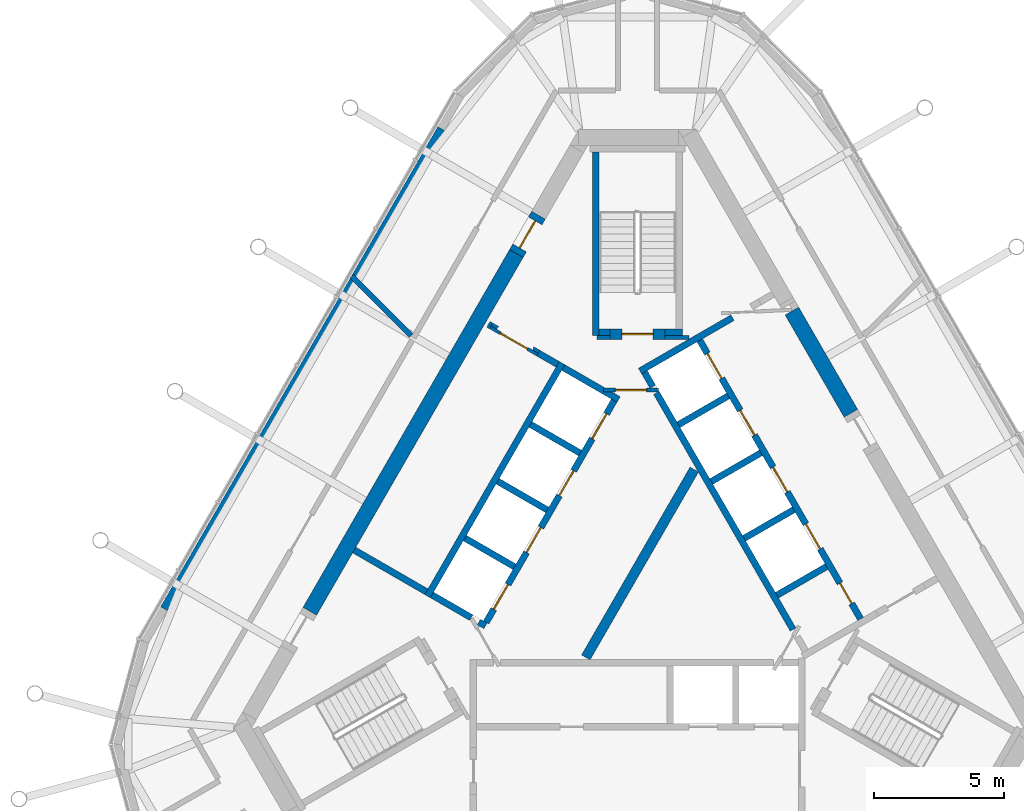
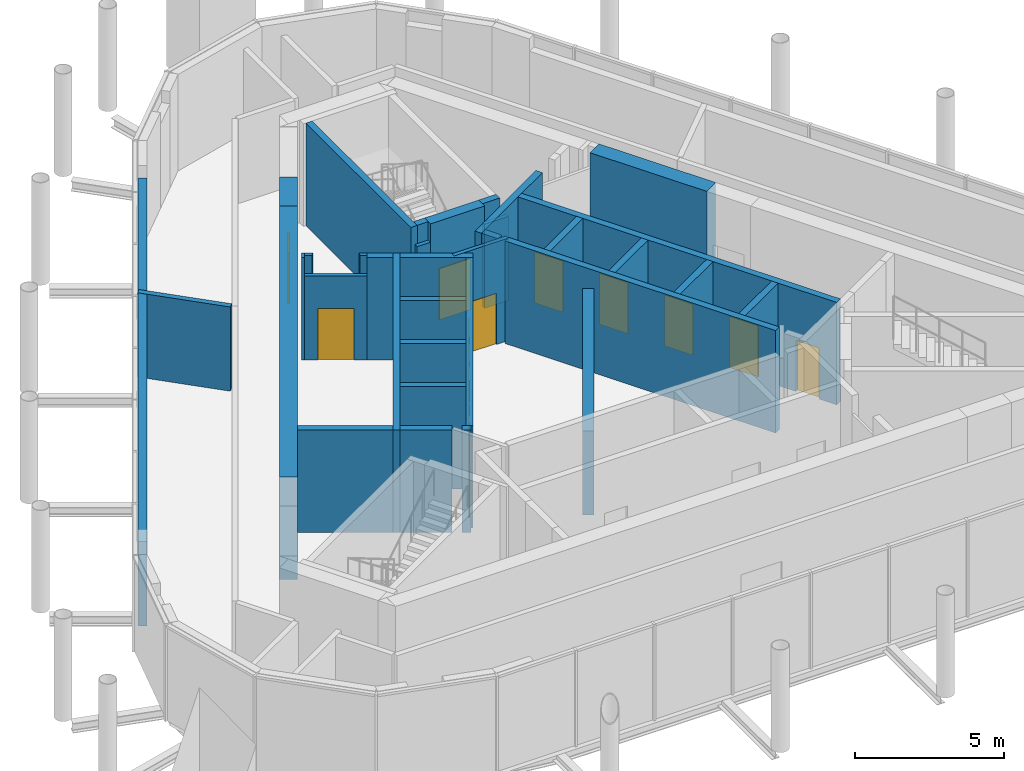
# One storey, part 8 of 11: 35 walls, 13 doors, 13 openings.
"""IFC4 building model written with IfcOpenShell, lengths in metres."""

from ifc_helpers import new_model, si_unit, direction, frame, frame_2d, origin, place, context, subcontext, project, spatial, polyline, rectangle, outline, extrude, material, layer, layer_set, type_object, element, fill, save


model = new_model("IFC4")

# Units and contexts
model_context = context("Model", 3, precision=1e-05, world=origin(), true_north=direction((0.0, 1.0)))
body_context = subcontext(model_context, "Body", "Model", "MODEL_VIEW")
ifc_project = project(units=[si_unit("LENGTHUNIT", "METRE"), si_unit("AREAUNIT", "SQUARE_METRE"), si_unit("VOLUMEUNIT", "CUBIC_METRE"), si_unit("PLANEANGLEUNIT", "RADIAN"), si_unit("MASSUNIT", "GRAM", prefix="KILO")], contexts=[model_context])

# Site, building, storey
site_placement = place(None, origin())
site = spatial("IfcSite", under=ifc_project, at=site_placement, CompositionType="ELEMENT")
building_placement = place(site_placement, origin())
building = spatial("IfcBuilding", under=site, at=building_placement, Name="Mestral Congress Tower", CompositionType="ELEMENT")
storey_placement = place(building_placement, frame((0.0, 0.0, 340.199951171875)))
storey = spatial("IfcBuildingStorey", under=building, at=storey_placement, Name="L79", CompositionType="ELEMENT", Elevation=340.199951171875)

# Walls
ifc_material_1 = material(Name="Fire-rated board partition")
ifc_layer_1 = layer(ifc_material_1, 0.14990234375)
ifc_layer_set_1 = layer_set([ifc_layer_1], Name="Fire-rated board partition")
wall_type_1 = type_object("IfcWallType", Name="Core partition 150", PredefinedType="PARTITIONING", material=ifc_layer_set_1)
wall_1_placement = place(storey_placement, frame((1.050048828125, 8.62548828125, 0.0), z_axis=(0.0, 0.0, 1.0), x_axis=(1.0, 0.0, 0.0)))
element("IfcWall", 1, at=wall_1_placement, inside=storey, type_object=wall_type_1, Name="L79 core wall", PredefinedType="PARTITIONING", context=body_context, shape_type="SweptSolid", body=[
    extrude(rectangle(XDim=0.9287109375, YDim=0.14990234375, at=frame_2d((0.46435546875, 0.0))), origin(), (0.0, 0.0, 1.0), 3.449951171875),
])
wall_2_placement = place(storey_placement, frame((-1.56396484375, 8.62548828125, 0.0), z_axis=(0.0, 0.0, 1.0), x_axis=(1.0, 0.0, 0.0)))
element("IfcWall", 2, at=wall_2_placement, inside=storey, type_object=wall_type_1, Name="L79 core wall", PredefinedType="PARTITIONING", context=body_context, shape_type="SweptSolid", body=[
    extrude(rectangle(XDim=0.513916015625, YDim=0.14990234375, at=frame_2d((0.2568359375, 0.0))), origin(), (0.0, 0.0, 1.0), 3.449951171875),
])
placement = place(storey_placement, origin())
element("IfcWall", 3, at=placement, inside=storey, type_object=wall_type_1, Name="L79 core wall", PredefinedType="PARTITIONING", context=body_context, shape_type="SweptSolid", body=[
    extrude(outline(polyline([(2.016845703125, 3.64306640625), (2.341552734375, 3.45556640625), (-1.822021484375, -3.755615234375), (-2.146728515625, -3.568115234375), (2.016845703125, 3.64306640625)])), origin(), (0.0, 0.0, 1.0), 3.449951171875),
])

# Wall, opening, door
ifc_layer_2 = layer(ifc_material_1, 0.1201171875)
ifc_layer_set_2 = layer_set([ifc_layer_2], Name="Fire-rated board partition")
wall_type_2 = type_object("IfcWallType", Name="Core partition 150 door-wall 120", PredefinedType="PARTITIONING", material=ifc_layer_set_2)
wall_4_placement = place(storey_placement, frame((-5.65869140625, 9.01171875, 0.0), z_axis=(0.0, 0.0, 1.0), x_axis=(0.866009402589, -0.500027713859, 0.0)))
wall_4 = element("IfcWall", 4, at=wall_4_placement, inside=storey, type_object=wall_type_2, Name="L79 door wall", PredefinedType="PARTITIONING", context=body_context, shape_type="SweptSolid", body=[
    extrude(rectangle(XDim=2.10009765625, YDim=0.1201171875, at=frame_2d((1.050048828125, 0.0))), origin(), (0.0, 0.0, 1.0), 3.449951171875),
])
opening_1_placement = place(wall_4_placement, frame((0.449951171875, 0.0, 0.0)))
opening_1 = element("IfcOpeningElement", 5, at=opening_1_placement, cuts=wall_4, Name="Opening LB2-WL2", PredefinedType="OPENING", context=body_context, shape_type="SweptSolid", body=[
    extrude(rectangle(XDim=1.199951171875, YDim=2.10009765625, at=frame_2d((0.60009765625, 1.050048828125))), frame((0.0, 0.070068359375, 0.0), z_axis=(0.0, -1.0, 0.0), x_axis=(1.0, 0.0, 0.0)), (0.0, 0.0, 1.0), 0.14013671875),
])
ifc_material_2 = material(Name="Fire-rated steel door set", Category="steel")
door_type_1 = type_object("IfcDoorType", Name="Core door LB 1200x2100", OperationType="SINGLE_SWING_LEFT", PredefinedType="DOOR", material=ifc_material_2)
door_1_placement = place(opening_1_placement, origin())
door_1 = element("IfcDoor", 6, at=door_1_placement, inside=storey, type_object=door_type_1, Name="Door LB2-WL2", OperationType="SINGLE_SWING_LEFT", OverallHeight=2.10009765625, OverallWidth=1.199951171875, PredefinedType="DOOR", context=body_context, shape_type="SweptSolid", body=[
    extrude(rectangle(XDim=1.199951171875, YDim=2.10009765625, at=frame_2d((0.60009765625, 1.050048828125))), frame((0.0, 0.02490234375, 0.0), z_axis=(0.0, -1.0, 0.0), x_axis=(1.0, 0.0, 0.0)), (0.0, 0.0, 1.0), 0.050048828125),
])
fill(opening_1, door_1)

# Walls
ifc_material_3 = material(Name="Concrete C60/75", Category="concrete")
ifc_layer_3 = layer(ifc_material_3, 0.60009765625)
ifc_layer_set_3 = layer_set([ifc_layer_3], Name="Concrete C60/75")
wall_type_3 = type_object("IfcWallType", Name="Core wall RC 600", PredefinedType="SOLIDWALL", material=ifc_layer_set_3)
wall_5_placement = place(storey_placement, frame((5.927978515625, 9.632568359375, 0.0), z_axis=(0.0, 0.0, 1.0), x_axis=(0.499983823482, -0.8660347431, 0.0)))
element("IfcWall", 7, at=wall_5_placement, inside=storey, type_object=wall_type_3, Name="L79 core wall", PredefinedType="SOLIDWALL", context=body_context, shape_type="SweptSolid", body=[
    extrude(rectangle(XDim=4.528076171875, YDim=0.60009765625, at=frame_2d((2.26416015625, 0.0))), origin(), (0.0, 0.0, 1.0), 4.199951171875),
])
wall_6_placement = place(storey_placement, frame((-4.65234375, 11.841796875, 0.0), z_axis=(0.0, 0.0, 1.0), x_axis=(-0.500003640647, -0.866023301845, 0.0)))
element("IfcWall", 8, at=wall_6_placement, inside=storey, type_object=wall_type_3, Name="L79 core wall", PredefinedType="SOLIDWALL", context=body_context, shape_type="SweptSolid", body=[
    extrude(rectangle(XDim=15.8583984375, YDim=0.60009765625, at=frame_2d((7.92919921875, 0.0))), origin(), (0.0, 0.0, 1.0), 4.199951171875),
])

# Wall, opening, door
wall_7_placement = place(storey_placement, frame((-4.65234375, 11.842041015625, 0.0), z_axis=(0.0, 0.0, 1.0), x_axis=(0.500062241894, 0.865989465428, 0.0)))
wall_7 = element("IfcWall", 9, at=wall_7_placement, inside=storey, type_object=wall_type_3, Name="L79 door wall", PredefinedType="SOLIDWALL", context=body_context, shape_type="SweptSolid", body=[
    extrude(rectangle(XDim=1.699951171875, YDim=0.60009765625, at=frame_2d((0.85009765625, 0.0))), origin(), (0.0, 0.0, 1.0), 4.199951171875),
])
opening_2_placement = place(wall_7_placement, frame((0.25, 0.0, 0.0)))
opening_2 = element("IfcOpeningElement", 10, at=opening_2_placement, cuts=wall_7, Name="Opening XD2", PredefinedType="OPENING", context=body_context, shape_type="SweptSolid", body=[
    extrude(rectangle(XDim=1.199951171875, YDim=2.10009765625, at=frame_2d((0.60009765625, 1.050048828125))), frame((0.0, 0.31005859375, 0.0), z_axis=(0.0, -1.0, 0.0), x_axis=(1.0, 0.0, 0.0)), (0.0, 0.0, 1.0), 0.6201171875),
])
door_type_2 = type_object("IfcDoorType", Name="Core door XD 1200x2100", OperationType="SINGLE_SWING_LEFT", PredefinedType="DOOR", material=ifc_material_2)
door_2_placement = place(opening_2_placement, origin())
door_2 = element("IfcDoor", 11, at=door_2_placement, inside=storey, type_object=door_type_2, Name="Door XD2", OperationType="SINGLE_SWING_LEFT", OverallHeight=2.10009765625, OverallWidth=1.199951171875, PredefinedType="DOOR", context=body_context, shape_type="SweptSolid", body=[
    extrude(rectangle(XDim=1.199951171875, YDim=2.10009765625, at=frame_2d((0.60009765625, 1.050048828125))), frame((0.0, 0.02490234375, 0.0), z_axis=(0.0, -1.0, 0.0), x_axis=(1.0, 0.0, 0.0)), (0.0, 0.0, 1.0), 0.050048828125),
])
fill(opening_2, door_2)

# Walls
ifc_material_4 = material(Name="Precast concrete C40/50 with limestone facing", Category="masonry")
ifc_layer_4 = layer(ifc_material_4, 0.300048828125)
ifc_layer_set_4 = layer_set([ifc_layer_4], Name="Precast concrete C40/50 with limestone facing")
wall_type_4 = type_object("IfcWallType", Name="Crown plant block wall 300 under girder", PredefinedType="SOLIDWALL", material=ifc_layer_set_4)
wall_8_placement = place(storey_placement, frame((-7.5400390625, 16.64013671875, 0.0), z_axis=(0.0, 0.0, 1.0), x_axis=(-0.500002158106, -0.866024157798, 0.0)))
element("IfcWall", 12, at=wall_8_placement, inside=storey, type_object=wall_type_4, Name="Plant block wall 10", PredefinedType="SOLIDWALL", context=body_context, shape_type="SweptSolid", body=[
    extrude(rectangle(XDim=21.28173828125, YDim=0.300048828125, at=frame_2d((10.640869140625, 0.0))), origin(), (0.0, 0.0, 1.0), 3.449951171875),
])
ifc_layer_5 = layer(ifc_material_3, 0.25)
ifc_layer_set_5 = layer_set([ifc_layer_5], Name="Concrete C60/75")
wall_type_5 = type_object("IfcWallType", Name="Shaft wall RC 250", PredefinedType="SOLIDWALL", material=ifc_layer_set_5)
wall_9_placement = place(storey_placement, frame((3.647216796875, 9.38037109375, 0.0), z_axis=(0.0, 0.0, 1.0), x_axis=(-0.866027868628, -0.499995730742, 0.0)))
element("IfcWall", 13, at=wall_9_placement, inside=storey, type_object=wall_type_5, Name="L79 core wall", PredefinedType="SOLIDWALL", context=body_context, shape_type="SweptSolid", body=[
    extrude(rectangle(XDim=4.0986328125, YDim=0.25, at=frame_2d((2.04931640625, 0.0))), origin(), (0.0, 0.0, 1.0), 4.199951171875),
])
wall_10_placement = place(storey_placement, frame((0.268310546875, 7.28515625, 0.0), z_axis=(0.0, 0.0, 1.0), x_axis=(0.500098681536, -0.865968422476, 0.0)))
element("IfcWall", 14, at=wall_10_placement, inside=storey, type_object=wall_type_5, Name="L79 core wall", PredefinedType="SOLIDWALL", context=body_context, shape_type="SweptSolid", body=[
    extrude(rectangle(XDim=0.636474609375, YDim=0.25, at=frame_2d((0.318359375, 0.0))), origin(), (0.0, 0.0, 1.0), 4.199951171875),
])
wall_11_placement = place(storey_placement, frame((5.970458984375, -2.591064453125, 0.0), z_axis=(0.0, 0.0, 1.0), x_axis=(-0.499994469932, 0.866028596547, 0.0)))
element("IfcWall", 15, at=wall_11_placement, inside=storey, type_object=wall_type_5, Name="L79 core wall", PredefinedType="SOLIDWALL", context=body_context, shape_type="SweptSolid", body=[
    extrude(rectangle(XDim=10.48828125, YDim=0.25, at=frame_2d((5.244140625, 0.0))), origin(), (0.0, 0.0, 1.0), 4.199951171875),
])
wall_12_placement = place(storey_placement, frame((1.57421875, 5.273681640625, 0.0), z_axis=(0.0, 0.0, 1.0), x_axis=(0.866028486751, 0.499994660107, 0.0)))
element("IfcWall", 16, at=wall_12_placement, inside=storey, type_object=wall_type_5, Name="L79 core wall", PredefinedType="SOLIDWALL", context=body_context, shape_type="SweptSolid", body=[
    extrude(rectangle(XDim=2.19970703125, YDim=0.25, at=frame_2d((1.099853515625, 0.0))), origin(), (0.0, 0.0, 1.0), 4.199951171875),
])
for number, where, z_axis, x_axis, name in (
    (17, (2.833984375, 3.091064453125, 0.0), (0.0, 0.0, 1.0), (0.866008176907, 0.50002983664, 0.0), "L79 core wall"),
    (18, (4.093994140625, 0.90869140625, 0.0), (0.0, 0.0, 1.0), (0.866008176907, 0.50002983664, 0.0), "L79 core wall"),
    (19, (5.35400390625, -1.273681640625, 0.0), (0.0, 0.0, 1.0), (0.866008176907, 0.50002983664, 0.0), "L79 core wall"),
):
    element("IfcWall", number, at=place(storey_placement, frame(where, z_axis=z_axis, x_axis=x_axis)), inside=storey, type_object=wall_type_5, Name=name, PredefinedType="SOLIDWALL", context=body_context, shape_type="SweptSolid", body=[
        extrude(rectangle(XDim=2.199951171875, YDim=0.25, at=frame_2d((1.10009765625, 0.0))), origin(), (0.0, 0.0, 1.0), 4.199951171875),
    ])
wall_13_placement = place(storey_placement, frame((-8.06005859375, -1.310546875, 0.0), z_axis=(0.0, 0.0, 1.0), x_axis=(0.50000273126, 0.866023826885, 0.0)))
element("IfcWall", 20, at=wall_13_placement, inside=storey, type_object=wall_type_5, Name="L79 core wall", PredefinedType="SOLIDWALL", context=body_context, shape_type="SweptSolid", body=[
    extrude(rectangle(XDim=10.330078125, YDim=0.25, at=frame_2d((5.1650390625, 0.0))), origin(), (0.0, 0.0, 1.0), 4.199951171875),
])
element("IfcWall", 21, at=placement, inside=storey, type_object=wall_type_5, Name="L79 core wall", PredefinedType="SOLIDWALL", context=body_context, shape_type="SweptSolid", body=[
    extrude(outline(polyline([(-2.911865234375, 7.3564453125), (-2.786865234375, 7.572998046875), (-1.231689453125, 6.675048828125), (-1.303466796875, 6.675048828125), (-1.3037109375, 6.675048828125), (-1.3037109375, 6.675048828125), (-1.3037109375, 6.52490234375), (-1.3037109375, 6.52490234375), (-1.303466796875, 6.52490234375), (-0.971435546875, 6.52490234375), (-0.6650390625, 6.347900390625), (-0.7900390625, 6.131591796875), (-1.006591796875, 6.256591796875), (-1.006591796875, 6.256591796875), (-2.911865234375, 7.3564453125)])), origin(), (0.0, 0.0, 1.0), 4.199951171875),
])
for number, where, z_axis, x_axis, name in (
    (22, (-2.2041015625, 4.182373046875, 0.0), (0.0, 0.0, 1.0), (-0.866008176907, 0.50002983664, 0.0), "L79 core wall"),
    (23, (-5.369384765625, 3.10009765625, 0.0), (0.0, 0.0, 1.0), (0.866008176907, -0.50002983664, 0.0), "L79 core wall"),
    (24, (-4.72412109375, -0.182373046875, 0.0), (0.0, 0.0, 1.0), (-0.866008176907, 0.50002983664, 0.0), "L79 core wall"),
):
    element("IfcWall", number, at=place(storey_placement, frame(where, z_axis=z_axis, x_axis=x_axis)), inside=storey, type_object=wall_type_5, Name=name, PredefinedType="SOLIDWALL", context=body_context, shape_type="SweptSolid", body=[
        extrude(rectangle(XDim=2.199951171875, YDim=0.25, at=frame_2d((1.10009765625, 0.0))), origin(), (0.0, 0.0, 1.0), 4.199951171875),
    ])
wall_15_placement = place(storey_placement, frame((-6.088134765625, -2.3046875, 0.0), z_axis=(0.0, 0.0, 1.0), x_axis=(0.866059450854, -0.499941024108, 0.0)))
element("IfcWall", 25, at=wall_15_placement, inside=storey, type_object=wall_type_5, Name="L79 core wall", PredefinedType="SOLIDWALL", context=body_context, shape_type="SweptSolid", body=[
    extrude(rectangle(XDim=0.2900390625, YDim=0.25, at=frame_2d((0.14501953125, 0.0))), origin(), (0.0, 0.0, 1.0), 4.199951171875),
])
wall_16_placement = place(storey_placement, frame((-7.889404296875, -1.2646484375, 0.0), z_axis=(0.0, 0.0, 1.0), x_axis=(0.865986741702, -0.500066958712, 0.0)))
element("IfcWall", 26, at=wall_16_placement, inside=storey, type_object=wall_type_5, Name="L79 core wall", PredefinedType="SOLIDWALL", context=body_context, shape_type="SweptSolid", body=[
    extrude(rectangle(XDim=1.738037109375, YDim=0.25, at=frame_2d((0.869140625, 0.0))), origin(), (0.0, 0.0, 1.0), 4.199951171875),
])
wall_17_placement = place(storey_placement, frame((-8.10595703125, -1.139892578125, 0.0), z_axis=(0.0, 0.0, 1.0), x_axis=(-0.866008981251, 0.500028443584, 0.0)))
element("IfcWall", 27, at=wall_17_placement, inside=storey, type_object=wall_type_5, Name="L79 core wall", PredefinedType="SOLIDWALL", context=body_context, shape_type="SweptSolid", body=[
    extrude(rectangle(XDim=3.199951171875, YDim=0.25, at=frame_2d((1.60009765625, 0.0))), origin(), (0.0, 0.0, 1.0), 4.199951171875),
])
wall_18_placement = place(storey_placement, frame((-5.724609375, 9.124755859375, 0.0), z_axis=(0.0, 0.0, 1.0), x_axis=(0.866185586049, -0.49972245349, 0.0)))
element("IfcWall", 28, at=wall_18_placement, inside=storey, type_object=wall_type_5, Name="L79 core wall", PredefinedType="SOLIDWALL", context=body_context, shape_type="SweptSolid", body=[
    extrude(rectangle(XDim=0.10986328125, YDim=0.25, at=frame_2d((0.054931640625, 0.0))), origin(), (0.0, 0.0, 1.0), 4.199951171875),
])
wall_19_placement = place(storey_placement, frame((-3.06591796875, 7.58984375, 0.0), z_axis=(0.0, 0.0, 1.0), x_axis=(-0.866081358704, 0.49990307071, 0.0)))
element("IfcWall", 29, at=wall_19_placement, inside=storey, type_object=wall_type_5, Name="L79 core wall", PredefinedType="SOLIDWALL", context=body_context, shape_type="SweptSolid", body=[
    extrude(rectangle(XDim=0.858154296875, YDim=0.25, at=frame_2d((0.42919921875, 0.0))), origin(), (0.0, 0.0, 1.0), 4.199951171875),
])
element("IfcWall", 30, at=placement, inside=storey, type_object=wall_type_5, Name="L79 core wall", PredefinedType="SOLIDWALL", context=body_context, shape_type="SweptSolid", body=[
    extrude(outline(polyline([(-3.748291015625, 8.1279296875), (-3.813232421875, 8.015380859375), (-4.026611328125, 8.138671875), (-4.0166015625, 8.156005859375), (-4.007568359375, 8.17333984375), (-4.000244140625, 8.191650390625), (-3.994873046875, 8.21044921875), (-3.991455078125, 8.229736328125), (-3.98974609375, 8.24951171875), (-3.989990234375, 8.267578125), (-3.748291015625, 8.1279296875)])), origin(), (0.0, 0.0, 1.0), 4.199951171875),
])
element("IfcWall", 31, at=placement, inside=storey, type_object=wall_type_5, Name="L79 core wall", PredefinedType="SOLIDWALL", context=body_context, shape_type="SweptSolid", body=[
    extrude(outline(polyline([(-5.688720703125, 8.959716796875), (-5.690185546875, 8.960693359375), (-5.565185546875, 9.177001953125), (-5.318603515625, 9.03466796875), (-5.334716796875, 9.02587890625), (-5.3505859375, 9.0146484375), (-5.36572265625, 9.001953125), (-5.37939453125, 8.98779296875), (-5.3916015625, 8.972412109375), (-5.402099609375, 8.955810546875), (-5.412109375, 8.938720703125), (-5.628662109375, 9.063720703125), (-5.628662109375, 9.063720703125), (-5.688720703125, 8.959716796875)])), origin(), (0.0, 0.0, 1.0), 4.199951171875),
])

# Wall, openings, doors
wall_22_placement = place(storey_placement, frame((8.565185546875, -2.185302734375, 0.0), z_axis=(0.0, 0.0, 1.0), x_axis=(-0.499997954832, 0.866026584559, 0.0)))
wall_22 = element("IfcWall", 32, at=wall_22_placement, inside=storey, type_object=wall_type_5, Name="L79 door wall", PredefinedType="SOLIDWALL", context=body_context, shape_type="SweptSolid", body=[
    extrude(rectangle(XDim=12.35009765625, YDim=0.25, at=frame_2d((6.175048828125, 0.0))), origin(), (0.0, 0.0, 1.0), 4.199951171875),
])
opening_3_placement = place(wall_22_placement, frame((0.68505859375, 0.0, 0.0)))
opening_3 = element("IfcOpeningElement", 33, at=opening_3_placement, cuts=wall_22, Name="Opening SR-NEB1", PredefinedType="OPENING", context=body_context, shape_type="SweptSolid", body=[
    extrude(rectangle(XDim=0.89990234375, YDim=2.10009765625, at=frame_2d((0.449951171875, 1.050048828125))), frame((0.0, 0.135009765625, 0.0), z_axis=(0.0, -1.0, 0.0), x_axis=(1.0, 0.0, 0.0)), (0.0, 0.0, 1.0), 0.27001953125),
])
opening_4_placement = place(wall_22_placement, frame((3.10498046875, 0.0, 0.0)))
opening_4 = element("IfcOpeningElement", 34, at=opening_4_placement, cuts=wall_22, Name="Opening LD-NEB2", PredefinedType="OPENING", context=body_context, shape_type="SweptSolid", body=[
    extrude(rectangle(XDim=1.10009765625, YDim=2.10009765625, at=frame_2d((0.550048828125, 1.050048828125))), frame((0.0, 0.135009765625, 0.0), z_axis=(0.0, -1.0, 0.0), x_axis=(1.0, 0.0, 0.0)), (0.0, 0.0, 1.0), 0.27001953125),
])
opening_5_placement = place(wall_22_placement, frame((5.625, 0.0, 0.0)))
opening_5 = element("IfcOpeningElement", 35, at=opening_5_placement, cuts=wall_22, Name="Opening LD-NEB3", PredefinedType="OPENING", context=body_context, shape_type="SweptSolid", body=[
    extrude(rectangle(XDim=1.10009765625, YDim=2.10009765625, at=frame_2d((0.550048828125, 1.050048828125))), frame((0.0, 0.135009765625, 0.0), z_axis=(0.0, -1.0, 0.0), x_axis=(1.0, 0.0, 0.0)), (0.0, 0.0, 1.0), 0.27001953125),
])
opening_6_placement = place(wall_22_placement, frame((8.14501953125, 0.0, 0.0)))
opening_6 = element("IfcOpeningElement", 36, at=opening_6_placement, cuts=wall_22, Name="Opening LD-NEB4", PredefinedType="OPENING", context=body_context, shape_type="SweptSolid", body=[
    extrude(rectangle(XDim=1.10009765625, YDim=2.10009765625, at=frame_2d((0.550048828125, 1.050048828125))), frame((0.0, 0.135009765625, 0.0), z_axis=(0.0, -1.0, 0.0), x_axis=(1.0, 0.0, 0.0)), (0.0, 0.0, 1.0), 0.27001953125),
])
opening_7_placement = place(wall_22_placement, frame((10.6650390625, 0.0, 0.0)))
opening_7 = element("IfcOpeningElement", 37, at=opening_7_placement, cuts=wall_22, Name="Opening LD-NEB5", PredefinedType="OPENING", context=body_context, shape_type="SweptSolid", body=[
    extrude(rectangle(XDim=1.10009765625, YDim=2.10009765625, at=frame_2d((0.550048828125, 1.050048828125))), frame((0.0, 0.135009765625, 0.0), z_axis=(0.0, -1.0, 0.0), x_axis=(1.0, 0.0, 0.0)), (0.0, 0.0, 1.0), 0.27001953125),
])
door_type_3 = type_object("IfcDoorType", Name="Core door LD 1100x2100", OperationType="DOUBLE_DOOR_SLIDING", PredefinedType="DOOR", material=ifc_material_2)
door_3_placement = place(opening_4_placement, origin())
door_3 = element("IfcDoor", 38, at=door_3_placement, inside=storey, type_object=door_type_3, Name="Door LD-NEB2", OperationType="DOUBLE_DOOR_SLIDING", OverallHeight=2.10009765625, OverallWidth=1.10009765625, PredefinedType="DOOR", context=body_context, shape_type="SweptSolid", body=[
    extrude(rectangle(XDim=1.10009765625, YDim=2.10009765625, at=frame_2d((0.550048828125, 1.050048828125))), frame((0.0, 0.02490234375, 0.0), z_axis=(0.0, -1.0, 0.0), x_axis=(1.0, 0.0, 0.0)), (0.0, 0.0, 1.0), 0.050048828125),
])
fill(opening_4, door_3)
door_4_placement = place(opening_5_placement, origin())
door_4 = element("IfcDoor", 39, at=door_4_placement, inside=storey, type_object=door_type_3, Name="Door LD-NEB3", OperationType="DOUBLE_DOOR_SLIDING", OverallHeight=2.10009765625, OverallWidth=1.10009765625, PredefinedType="DOOR", context=body_context, shape_type="SweptSolid", body=[
    extrude(rectangle(XDim=1.10009765625, YDim=2.10009765625, at=frame_2d((0.550048828125, 1.050048828125))), frame((0.0, 0.02490234375, 0.0), z_axis=(0.0, -1.0, 0.0), x_axis=(1.0, 0.0, 0.0)), (0.0, 0.0, 1.0), 0.050048828125),
])
fill(opening_5, door_4)
door_5_placement = place(opening_6_placement, origin())
door_5 = element("IfcDoor", 40, at=door_5_placement, inside=storey, type_object=door_type_3, Name="Door LD-NEB4", OperationType="DOUBLE_DOOR_SLIDING", OverallHeight=2.10009765625, OverallWidth=1.10009765625, PredefinedType="DOOR", context=body_context, shape_type="SweptSolid", body=[
    extrude(rectangle(XDim=1.10009765625, YDim=2.10009765625, at=frame_2d((0.550048828125, 1.050048828125))), frame((0.0, 0.02490234375, 0.0), z_axis=(0.0, -1.0, 0.0), x_axis=(1.0, 0.0, 0.0)), (0.0, 0.0, 1.0), 0.050048828125),
])
fill(opening_6, door_5)
door_6_placement = place(opening_7_placement, origin())
door_6 = element("IfcDoor", 41, at=door_6_placement, inside=storey, type_object=door_type_3, Name="Door LD-NEB5", OperationType="DOUBLE_DOOR_SLIDING", OverallHeight=2.10009765625, OverallWidth=1.10009765625, PredefinedType="DOOR", context=body_context, shape_type="SweptSolid", body=[
    extrude(rectangle(XDim=1.10009765625, YDim=2.10009765625, at=frame_2d((0.550048828125, 1.050048828125))), frame((0.0, 0.02490234375, 0.0), z_axis=(0.0, -1.0, 0.0), x_axis=(1.0, 0.0, 0.0)), (0.0, 0.0, 1.0), 0.050048828125),
])
fill(opening_7, door_6)
door_type_4 = type_object("IfcDoorType", Name="Core door SR 900x2100", OperationType="SINGLE_SWING_LEFT", PredefinedType="DOOR", material=ifc_material_2)
door_7_placement = place(opening_3_placement, origin())
door_7 = element("IfcDoor", 42, at=door_7_placement, inside=storey, type_object=door_type_4, Name="Door SR-NEB1", OperationType="SINGLE_SWING_LEFT", OverallHeight=2.10009765625, OverallWidth=0.89990234375, PredefinedType="DOOR", context=body_context, shape_type="SweptSolid", body=[
    extrude(rectangle(XDim=0.89990234375, YDim=2.10009765625, at=frame_2d((0.449951171875, 1.050048828125))), frame((0.0, 0.02490234375, 0.0), z_axis=(0.0, -1.0, 0.0), x_axis=(1.0, 0.0, 0.0)), (0.0, 0.0, 1.0), 0.050048828125),
])
fill(opening_3, door_7)

wall_23_placement = place(storey_placement, frame((-0.898193359375, 6.194091796875, 0.0), z_axis=(0.0, 0.0, 1.0), x_axis=(-0.499996202215, -0.866027596426, 0.0)))
wall_23 = element("IfcWall", 43, at=wall_23_placement, inside=storey, type_object=wall_type_5, Name="L79 door wall", PredefinedType="SOLIDWALL", context=body_context, shape_type="SweptSolid", body=[
    extrude(rectangle(XDim=9.830078125, YDim=0.25, at=frame_2d((4.9150390625, 0.0))), origin(), (0.0, 0.0, 1.0), 4.199951171875),
])
opening_8_placement = place(wall_23_placement, frame((0.5849609375, 0.0, 0.0)))
opening_8 = element("IfcOpeningElement", 44, at=opening_8_placement, cuts=wall_23, Name="Opening LD-NWB1", PredefinedType="OPENING", context=body_context, shape_type="SweptSolid", body=[
    extrude(rectangle(XDim=1.10009765625, YDim=2.10009765625, at=frame_2d((0.550048828125, 1.050048828125))), frame((0.0, 0.135009765625, 0.0), z_axis=(0.0, -1.0, 0.0), x_axis=(1.0, 0.0, 0.0)), (0.0, 0.0, 1.0), 0.27001953125),
])
opening_9_placement = place(wall_23_placement, frame((3.10498046875, 0.0, 0.0)))
opening_9 = element("IfcOpeningElement", 45, at=opening_9_placement, cuts=wall_23, Name="Opening LD-NWB2", PredefinedType="OPENING", context=body_context, shape_type="SweptSolid", body=[
    extrude(rectangle(XDim=1.10009765625, YDim=2.10009765625, at=frame_2d((0.550048828125, 1.050048828125))), frame((0.0, 0.135009765625, 0.0), z_axis=(0.0, -1.0, 0.0), x_axis=(1.0, 0.0, 0.0)), (0.0, 0.0, 1.0), 0.27001953125),
])
opening_10_placement = place(wall_23_placement, frame((5.625, 0.0, 0.0)))
opening_10 = element("IfcOpeningElement", 46, at=opening_10_placement, cuts=wall_23, Name="Opening LD-NWB3", PredefinedType="OPENING", context=body_context, shape_type="SweptSolid", body=[
    extrude(rectangle(XDim=1.10009765625, YDim=2.10009765625, at=frame_2d((0.550048828125, 1.050048828125))), frame((0.0, 0.135009765625, 0.0), z_axis=(0.0, -1.0, 0.0), x_axis=(1.0, 0.0, 0.0)), (0.0, 0.0, 1.0), 0.27001953125),
])
opening_11_placement = place(wall_23_placement, frame((8.14501953125, 0.0, 0.0)))
opening_11 = element("IfcOpeningElement", 47, at=opening_11_placement, cuts=wall_23, Name="Opening LD-NWB4", PredefinedType="OPENING", context=body_context, shape_type="SweptSolid", body=[
    extrude(rectangle(XDim=1.10009765625, YDim=2.10009765625, at=frame_2d((0.550048828125, 1.050048828125))), frame((0.0, 0.135009765625, 0.0), z_axis=(0.0, -1.0, 0.0), x_axis=(1.0, 0.0, 0.0)), (0.0, 0.0, 1.0), 0.27001953125),
])
door_8_placement = place(opening_8_placement, origin())
door_8 = element("IfcDoor", 48, at=door_8_placement, inside=storey, type_object=door_type_3, Name="Door LD-NWB1", OperationType="DOUBLE_DOOR_SLIDING", OverallHeight=2.10009765625, OverallWidth=1.10009765625, PredefinedType="DOOR", context=body_context, shape_type="SweptSolid", body=[
    extrude(rectangle(XDim=1.10009765625, YDim=2.10009765625, at=frame_2d((0.550048828125, 1.050048828125))), frame((0.0, 0.02490234375, 0.0), z_axis=(0.0, -1.0, 0.0), x_axis=(1.0, 0.0, 0.0)), (0.0, 0.0, 1.0), 0.050048828125),
])
fill(opening_8, door_8)
door_9_placement = place(opening_9_placement, origin())
door_9 = element("IfcDoor", 49, at=door_9_placement, inside=storey, type_object=door_type_3, Name="Door LD-NWB2", OperationType="DOUBLE_DOOR_SLIDING", OverallHeight=2.10009765625, OverallWidth=1.10009765625, PredefinedType="DOOR", context=body_context, shape_type="SweptSolid", body=[
    extrude(rectangle(XDim=1.10009765625, YDim=2.10009765625, at=frame_2d((0.550048828125, 1.050048828125))), frame((0.0, 0.02490234375, 0.0), z_axis=(0.0, -1.0, 0.0), x_axis=(1.0, 0.0, 0.0)), (0.0, 0.0, 1.0), 0.050048828125),
])
fill(opening_9, door_9)
door_10_placement = place(opening_10_placement, origin())
door_10 = element("IfcDoor", 50, at=door_10_placement, inside=storey, type_object=door_type_3, Name="Door LD-NWB3", OperationType="DOUBLE_DOOR_SLIDING", OverallHeight=2.10009765625, OverallWidth=1.10009765625, PredefinedType="DOOR", context=body_context, shape_type="SweptSolid", body=[
    extrude(rectangle(XDim=1.10009765625, YDim=2.10009765625, at=frame_2d((0.550048828125, 1.050048828125))), frame((0.0, 0.02490234375, 0.0), z_axis=(0.0, -1.0, 0.0), x_axis=(1.0, 0.0, 0.0)), (0.0, 0.0, 1.0), 0.050048828125),
])
fill(opening_10, door_10)
door_11_placement = place(opening_11_placement, origin())
door_11 = element("IfcDoor", 51, at=door_11_placement, inside=storey, type_object=door_type_3, Name="Door LD-NWB4", OperationType="DOUBLE_DOOR_SLIDING", OverallHeight=2.10009765625, OverallWidth=1.10009765625, PredefinedType="DOOR", context=body_context, shape_type="SweptSolid", body=[
    extrude(rectangle(XDim=1.10009765625, YDim=2.10009765625, at=frame_2d((0.550048828125, 1.050048828125))), frame((0.0, 0.02490234375, 0.0), z_axis=(0.0, -1.0, 0.0), x_axis=(1.0, 0.0, 0.0)), (0.0, 0.0, 1.0), 0.050048828125),
])
fill(opening_11, door_11)

# Wall, opening, door
ifc_layer_6 = layer(ifc_material_3, 0.14990234375)
ifc_layer_set_6 = layer_set([ifc_layer_6], Name="Concrete C60/75")
wall_type_6 = type_object("IfcWallType", Name="Shaft wall RC 250 door-wall 150", PredefinedType="SOLIDWALL", material=ifc_layer_set_6)
wall_24_placement = place(storey_placement, frame((-1.303466796875, 6.60009765625, 0.0), z_axis=(0.0, 0.0, 1.0), x_axis=(1.0, 0.0, 0.0)))
wall_24 = element("IfcWall", 52, at=wall_24_placement, inside=storey, type_object=wall_type_6, Name="L79 door wall", PredefinedType="PARTITIONING", context=body_context, shape_type="SweptSolid", body=[
    extrude(rectangle(XDim=2.099853515625, YDim=0.14990234375, at=frame_2d((1.0498046875, 0.0))), origin(), (0.0, 0.0, 1.0), 4.199951171875),
])
opening_12_placement = place(wall_24_placement, frame((0.449951171875, 0.0, 0.0)))
opening_12 = element("IfcOpeningElement", 53, at=opening_12_placement, cuts=wall_24, Name="Opening CD2-FF", PredefinedType="OPENING", context=body_context, shape_type="SweptSolid", body=[
    extrude(rectangle(XDim=1.199951171875, YDim=2.10009765625, at=frame_2d((0.60009765625, 1.050048828125))), frame((0.0, 0.0849609375, 0.0), z_axis=(0.0, -1.0, 0.0), x_axis=(1.0, 0.0, 0.0)), (0.0, 0.0, 1.0), 0.169921875),
])
door_type_5 = type_object("IfcDoorType", Name="Core door CD 1200x2100", OperationType="SINGLE_SWING_LEFT", PredefinedType="DOOR", material=ifc_material_2)
door_12_placement = place(opening_12_placement, origin())
door_12 = element("IfcDoor", 54, at=door_12_placement, inside=storey, type_object=door_type_5, Name="Door CD2-FF", OperationType="SINGLE_SWING_LEFT", OverallHeight=2.10009765625, OverallWidth=1.199951171875, PredefinedType="DOOR", context=body_context, shape_type="SweptSolid", body=[
    extrude(rectangle(XDim=1.199951171875, YDim=2.10009765625, at=frame_2d((0.60009765625, 1.050048828125))), frame((0.0, 0.02490234375, 0.0), z_axis=(0.0, -1.0, 0.0), x_axis=(1.0, 0.0, 0.0)), (0.0, 0.0, 1.0), 0.050048828125),
])
fill(opening_12, door_12)

# Walls
ifc_material_5 = material(Name="Concrete block wall, plastered", Category="concrete")
ifc_layer_7 = layer(ifc_material_5, 0.199951171875)
ifc_layer_set_7 = layer_set([ifc_layer_7], Name="Concrete block wall, plastered")
wall_type_7 = type_object("IfcWallType", Name="Special partition 200 EI 120", PredefinedType="PARTITIONING", material=ifc_layer_set_7)
wall_25_placement = place(storey_placement, frame((-8.693603515625, 8.693603515625, 0.0), z_axis=(0.0, 0.0, 1.0), x_axis=(-0.707106781187, 0.707106781187, 0.0)))
element("IfcWall", 55, at=wall_25_placement, inside=storey, type_object=wall_type_7, Name="Partition", PredefinedType="PARTITIONING", context=body_context, shape_type="SweptSolid", body=[
    extrude(rectangle(XDim=3.22412109375, YDim=0.199951171875, at=frame_2d((1.612060546875, 0.0))), origin(), (0.0, 0.0, 1.0), 3.449951171875),
])
ifc_layer_8 = layer(ifc_material_3, 0.25)
ifc_layer_set_8 = layer_set([ifc_layer_8], Name="Concrete C60/75")
wall_type_8 = type_object("IfcWallType", Name="Stair wall RC 250", PredefinedType="SOLIDWALL", material=ifc_layer_set_8)
wall_26_placement = place(storey_placement, frame((1.050048828125, 8.824951171875, 0.0), z_axis=(0.0, 0.0, 1.0), x_axis=(1.0, 0.0, 0.0)))
element("IfcWall", 56, at=wall_26_placement, inside=storey, type_object=wall_type_8, Name="L79 core wall", PredefinedType="SOLIDWALL", context=body_context, shape_type="SweptSolid", body=[
    extrude(rectangle(XDim=0.675048828125, YDim=0.25, at=frame_2d((0.33740234375, 0.0))), origin(), (0.0, 0.0, 1.0), 4.199951171875),
])
wall_27_placement = place(storey_placement, frame((-1.60009765625, 8.699951171875, 0.0), z_axis=(0.0, 0.0, 1.0), x_axis=(0.0, 1.0, 0.0)))
element("IfcWall", 57, at=wall_27_placement, inside=storey, type_object=wall_type_8, Name="L79 core wall", PredefinedType="SOLIDWALL", context=body_context, shape_type="SweptSolid", body=[
    extrude(rectangle(XDim=7.050048828125, YDim=0.25, at=frame_2d((3.52490234375, 0.0))), origin(), (0.0, 0.0, 1.0), 4.199951171875),
])
wall_28_placement = place(storey_placement, frame((-1.47509765625, 8.824951171875, 0.0), z_axis=(0.0, 0.0, 1.0), x_axis=(1.0, 0.0, 0.0)))
element("IfcWall", 58, at=wall_28_placement, inside=storey, type_object=wall_type_8, Name="L79 core wall", PredefinedType="SOLIDWALL", context=body_context, shape_type="SweptSolid", body=[
    extrude(rectangle(XDim=0.425048828125, YDim=0.25, at=frame_2d((0.21240234375, 0.0))), origin(), (0.0, 0.0, 1.0), 4.199951171875),
])

# Wall, opening, door
ifc_layer_9 = layer(ifc_material_3, 0.39990234375)
ifc_layer_set_9 = layer_set([ifc_layer_9], Name="Concrete C60/75")
wall_type_9 = type_object("IfcWallType", Name="Stair wall RC 250 door-wall 400", PredefinedType="SOLIDWALL", material=ifc_layer_set_9)
wall_29_placement = place(storey_placement, frame((1.050048828125, 8.75, 0.0), z_axis=(0.0, 0.0, 1.0), x_axis=(-1.0, 0.0, 0.0)))
wall_29 = element("IfcWall", 59, at=wall_29_placement, inside=storey, type_object=wall_type_9, Name="L79 door wall", PredefinedType="SOLIDWALL", context=body_context, shape_type="SweptSolid", body=[
    extrude(rectangle(XDim=2.10009765625, YDim=0.39990234375, at=frame_2d((1.050048828125, 0.0))), origin(), (0.0, 0.0, 1.0), 4.199951171875),
])
opening_13_placement = place(wall_29_placement, frame((0.449951171875, 0.0, 0.0)))
opening_13 = element("IfcOpeningElement", 60, at=opening_13_placement, cuts=wall_29, Name="Opening ST-D2", PredefinedType="OPENING", context=body_context, shape_type="SweptSolid", body=[
    extrude(rectangle(XDim=1.199951171875, YDim=2.10009765625, at=frame_2d((0.60009765625, 1.050048828125))), frame((0.0, 0.2099609375, 0.0), z_axis=(0.0, -1.0, 0.0), x_axis=(1.0, 0.0, 0.0)), (0.0, 0.0, 1.0), 0.419921875),
])
door_type_6 = type_object("IfcDoorType", Name="Core door ST 1200x2100", OperationType="SINGLE_SWING_LEFT", PredefinedType="DOOR", material=ifc_material_2)
door_13_placement = place(opening_13_placement, origin())
door_13 = element("IfcDoor", 61, at=door_13_placement, inside=storey, type_object=door_type_6, Name="Door ST-D2", OperationType="SINGLE_SWING_LEFT", OverallHeight=2.10009765625, OverallWidth=1.199951171875, PredefinedType="DOOR", context=body_context, shape_type="SweptSolid", body=[
    extrude(rectangle(XDim=1.199951171875, YDim=2.10009765625, at=frame_2d((0.60009765625, 1.050048828125))), frame((0.0, 0.02490234375, 0.0), z_axis=(0.0, -1.0, 0.0), x_axis=(1.0, 0.0, 0.0)), (0.0, 0.0, 1.0), 0.050048828125),
])
fill(opening_13, door_13)

save(model, "model.ifc")
